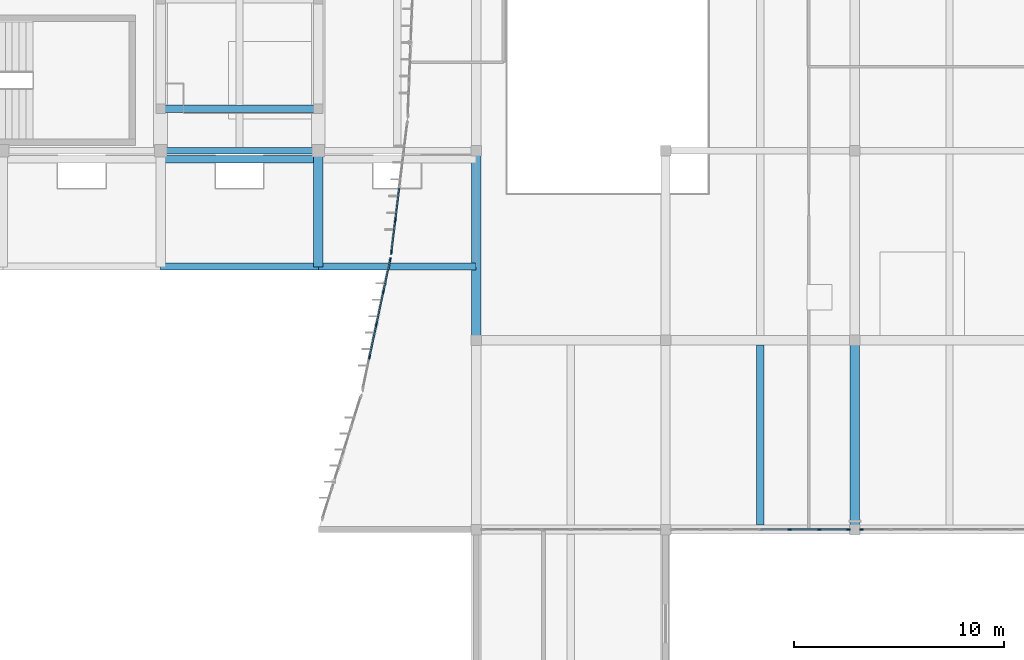
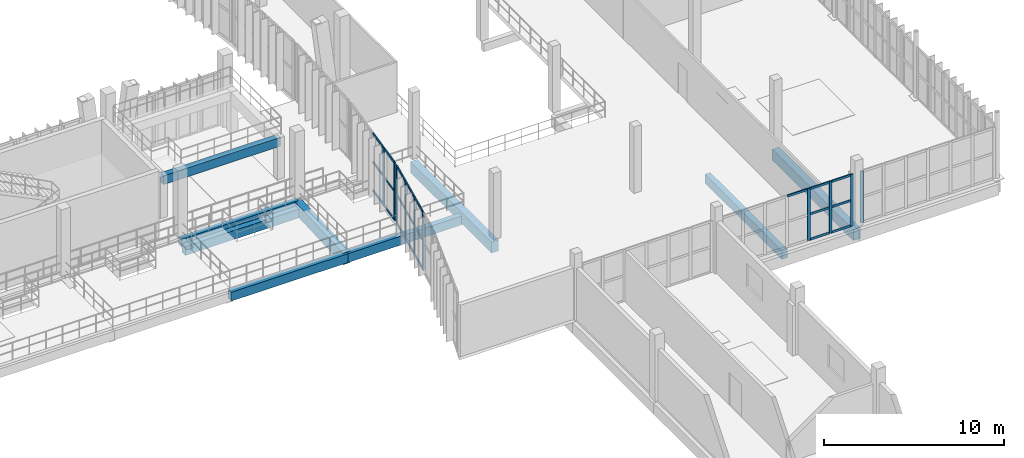
# One storey, part 29 of 81: 32 members, 9 beams, 4 elements without a shape of their own.
"""IFC4 building model written with IfcOpenShell, lengths in metres."""

from ifc_helpers import new_model, si_unit, direction, frame, origin, origin_2d, place, context, subcontext, project, spatial, rectangle, extrude, material, material_profile, profile_set, type_object, element, aggregate, save


model = new_model("IFC4")

# Units and contexts
model_context = context("Model", 3, precision=1e-05, world=origin(), true_north=direction((0.0, 1.0)))
body_context = subcontext(model_context, "Body", "Model", "MODEL_VIEW")
ifc_project = project(units=[si_unit("LENGTHUNIT", "METRE"), si_unit("AREAUNIT", "SQUARE_METRE"), si_unit("VOLUMEUNIT", "CUBIC_METRE"), si_unit("PLANEANGLEUNIT", "RADIAN"), si_unit("MASSUNIT", "GRAM", prefix="KILO")], contexts=[model_context])

# Site, building, storey
site_placement = place(None, origin())
site = spatial("IfcSite", under=ifc_project, at=site_placement, CompositionType="ELEMENT")
building_placement = place(site_placement, origin())
building = spatial("IfcBuilding", under=site, at=building_placement, Name="Vourika Railside Aquatics Centre", CompositionType="ELEMENT")
storey_placement = place(building_placement, frame((0.0, 0.0, 4.800048828125)))
storey = spatial("IfcBuildingStorey", under=building, at=storey_placement, Name="L01", CompositionType="ELEMENT", Elevation=4.800048828125)

# Beams
ifc_material_1 = material(Name="Concrete C35/45", Category="concrete")
ifc_material_profile_1 = material_profile(ifc_material_1, rectangle(XDim=0.449951171875, YDim=0.75, at=origin_2d()), Name="RC 450x750")
ifc_profile_set_1 = profile_set([ifc_material_profile_1], Name="Concrete C35/45")
beam_type_1 = type_object("IfcBeamType", Name="BM-GIRD-450x750", PredefinedType="BEAM", material=ifc_profile_set_1)
for number, where, z_axis, x_axis, name in (
    (1, (141.0, 49.0, -0.675048828125), (0.0, 1.0, 0.0), (-1.0, 0.0, 0.0), "Floor Girder GY-L01-273"),
    (2, (159.0, 40.0, -0.675048828125), (0.0, 1.0, 0.0), (-1.0, 0.0, 0.0), "Floor Girder GY-L01-287"),
):
    element("IfcBeam", number, at=place(storey_placement, frame(where, z_axis=z_axis, x_axis=x_axis)), inside=storey, type_object=beam_type_1, Name=name, PredefinedType="BEAM", context=body_context, shape_type="SweptSolid", body=[
        extrude(rectangle(XDim=0.449951171875, YDim=0.75, at=origin_2d()), origin(), (0.0, 0.0, 1.0), 9.0),
    ])
ifc_material_profile_2 = material_profile(ifc_material_1, rectangle(XDim=0.449951171875, YDim=0.800048828125, at=origin_2d()), Name="RC 450x800")
ifc_profile_set_2 = profile_set([ifc_material_profile_2], Name="Concrete C35/45")
beam_type_2 = type_object("IfcBeamType", Name="BM-RAKER-450x800", PredefinedType="BEAM", material=ifc_profile_set_2)
beam_1_placement = place(storey_placement, frame((133.5, 52.5, -0.949951171875), z_axis=(0.0, 0.99896854021, 0.045407660919), x_axis=(-1.0, 0.0, 0.0)))
element("IfcBeam", 3, at=beam_1_placement, inside=storey, type_object=beam_type_2, Name="Grandstand Lower Raker Beam RKL-133.5", PredefinedType="BEAM", context=body_context, shape_type="SweptSolid", body=[
    extrude(rectangle(XDim=0.449951171875, YDim=0.800048828125, at=origin_2d()), origin(), (0.0, 0.0, 1.0), 5.505615234375),
])
ifc_material_profile_3 = material_profile(ifc_material_1, rectangle(XDim=0.35009765625, YDim=0.60009765625, at=origin_2d()), Name="RC 350x600")
ifc_profile_set_3 = profile_set([ifc_material_profile_3], Name="Concrete C35/45")
beam_type_3 = type_object("IfcBeamType", Name="BM-SEC-350x600", PredefinedType="JOIST", material=ifc_profile_set_3)
beam_2_placement = place(storey_placement, frame((154.5, 40.22509765625, -0.60009765625), z_axis=(0.0, 1.0, 0.0), x_axis=(-1.0, 0.0, 0.0)))
element("IfcBeam", 4, at=beam_2_placement, inside=storey, type_object=beam_type_3, Name="Secondary Joist JY-L01-324", PredefinedType="JOIST", context=body_context, shape_type="SweptSolid", body=[
    extrude(rectangle(XDim=0.35009765625, YDim=0.60009765625, at=origin_2d()), origin(), (0.0, 0.0, 1.0), 8.5498046875),
])
for number, where, z_axis, x_axis, name in (
    (5, (126.0, 52.5, -0.85009765625), (1.0, 0.0, 0.0), (0.0, 1.0, 0.0), "Lower Stand Front Beam 126.0-133.5"),
    (6, (126.0, 57.60009765625, -0.85009765625), (1.0, 0.0, 0.0), (0.0, 1.0, 0.0), "Lower Stand Rear Beam 126.0-133.5"),
    (7, (133.5, 52.5, -0.85009765625), (1.0, 0.0, 0.0), (0.0, 1.0, 0.0), "Lower Stand Front Beam 133.5-141.0"),
    (8, (126.0, 60.0, 2.5), (1.0, 0.0, 0.0), (0.0, 1.0, 0.0), "Upper Stand Front Beam 126.0-133.5"),
):
    element("IfcBeam", number, at=place(storey_placement, frame(where, z_axis=z_axis, x_axis=x_axis)), inside=storey, type_object=beam_type_3, Name=name, PredefinedType="JOIST", context=body_context, shape_type="SweptSolid", body=[
        extrude(rectangle(XDim=0.35009765625, YDim=0.60009765625, at=origin_2d()), origin(), (0.0, 0.0, 1.0), 7.5),
    ])
ifc_material_profile_4 = material_profile(ifc_material_1, rectangle(XDim=0.320068359375, YDim=0.550048828125, at=origin_2d()), Name="RC 320x550")
ifc_profile_set_4 = profile_set([ifc_material_profile_4], Name="Concrete C35/45")
beam_type_4 = type_object("IfcBeamType", Name="BM-SPAN-320x550", PredefinedType="SPANDREL", material=ifc_profile_set_4)
beam_3_placement = place(storey_placement, frame((126.0, 58.0, -0.574951171875), z_axis=(1.0, 0.0, 0.0), x_axis=(0.0, 1.0, 0.0)))
element("IfcBeam", 9, at=beam_3_placement, inside=storey, type_object=beam_type_4, Name="Floor Beam GX-L01-074", PredefinedType="SPANDREL", context=body_context, shape_type="SweptSolid", body=[
    extrude(rectangle(XDim=0.320068359375, YDim=0.550048828125, at=origin_2d()), origin(), (0.0, 0.0, 1.0), 7.5),
])

# Curtain wall, members
ifc_material_2 = material(Name="Anodized thermally broken aluminium", Category="aluminium")
curtain_wall_type_1 = type_object("IfcCurtainWallType", Name="CW-FOYC1", PredefinedType="NOTDEFINED", material=ifc_material_2)
curtain_wall_1_placement = place(storey_placement, origin())
curtain_wall_1 = element("IfcCurtainWall", 10, at=curtain_wall_1_placement, inside=storey, type_object=curtain_wall_type_1, Name="Curved Courtyard Foyer Curtain Wall L01-2", PredefinedType="NOTDEFINED")
ifc_material_3 = material(Name="Anodized aluminium mullion", Category="aluminium")
ifc_material_profile_5 = material_profile(ifc_material_3, rectangle(XDim=0.070068359375, YDim=0.18505859375, at=origin_2d()), Name="ALU-M 70x185")
ifc_profile_set_5 = profile_set([ifc_material_profile_5], Name="Anodized aluminium mullion")
member_type_1 = type_object("IfcMemberType", Name="CWM-FOYC1", PredefinedType="MULLION", material=ifc_profile_set_5)
member_1_placement = place(storey_placement, frame((136.914794921875, 52.82568359375, 0.0), z_axis=(0.0, 0.0, 1.0), x_axis=(0.978214773139, -0.207595418094, 0.0)))
member_1 = element("IfcMember", 11, at=member_1_placement, type_object=member_type_1, Name="CW08 mullion 1", PredefinedType="MULLION", context=body_context, shape_type="SweptSolid", body=[
    extrude(rectangle(XDim=0.070068359375, YDim=0.18505859375, at=origin_2d()), origin(), (0.0, 0.0, 1.0), 3.919921875),
])
member_2_placement = place(storey_placement, frame((136.592041015625, 51.304931640625, 0.0), z_axis=(0.0, 0.0, 1.0), x_axis=(0.978214773139, -0.207595418094, 0.0)))
member_2 = element("IfcMember", 12, at=member_2_placement, type_object=member_type_1, Name="CW08 mullion 2", PredefinedType="MULLION", context=body_context, shape_type="SweptSolid", body=[
    extrude(rectangle(XDim=0.070068359375, YDim=0.18505859375, at=origin_2d()), origin(), (0.0, 0.0, 1.0), 3.919921875),
])
member_3_placement = place(storey_placement, frame((136.261962890625, 49.75, 0.0), z_axis=(0.0, 0.0, 1.0), x_axis=(0.978214773139, -0.207595418094, 0.0)))
member_3 = element("IfcMember", 13, at=member_3_placement, type_object=member_type_1, Name="CW08 mullion 3", PredefinedType="MULLION", context=body_context, shape_type="SweptSolid", body=[
    extrude(rectangle(XDim=0.070068359375, YDim=0.18505859375, at=origin_2d()), origin(), (0.0, 0.0, 1.0), 3.919921875),
])
member_4_placement = place(storey_placement, frame((135.931884765625, 48.195068359375, 0.0), z_axis=(0.0, 0.0, 1.0), x_axis=(0.978214773139, -0.207595418094, 0.0)))
member_4 = element("IfcMember", 14, at=member_4_placement, type_object=member_type_1, Name="CW08 mullion 4", PredefinedType="MULLION", context=body_context, shape_type="SweptSolid", body=[
    extrude(rectangle(XDim=0.070068359375, YDim=0.18505859375, at=origin_2d()), origin(), (0.0, 0.0, 1.0), 3.919921875),
])

curtain_wall_2_placement = place(storey_placement, origin())
curtain_wall_2 = element("IfcCurtainWall", 15, at=curtain_wall_2_placement, inside=storey, type_object=curtain_wall_type_1, Name="Curved Courtyard Foyer Curtain Wall L01-3", PredefinedType="NOTDEFINED")
member_5_placement = place(storey_placement, frame((137.158203125, 54.695068359375, 0.0), z_axis=(0.0, 0.0, 1.0), x_axis=(0.992598563525, -0.121441721361, 0.0)))
member_5 = element("IfcMember", 16, at=member_5_placement, type_object=member_type_1, Name="CW08 mullion 4", PredefinedType="MULLION", context=body_context, shape_type="SweptSolid", body=[
    extrude(rectangle(XDim=0.070068359375, YDim=0.18505859375, at=origin_2d()), origin(), (0.0, 0.0, 1.0), 3.919921875),
])
member_6_placement = place(storey_placement, frame((136.97216796875, 53.1748046875, 0.0), z_axis=(0.0, 0.0, 1.0), x_axis=(0.992598563525, -0.121441721361, 0.0)))
member_6 = element("IfcMember", 17, at=member_6_placement, type_object=member_type_1, Name="CW08 mullion 5", PredefinedType="MULLION", context=body_context, shape_type="SweptSolid", body=[
    extrude(rectangle(XDim=0.070068359375, YDim=0.18505859375, at=origin_2d()), origin(), (0.0, 0.0, 1.0), 3.919921875),
])

curtain_wall_type_2 = type_object("IfcCurtainWallType", Name="CW-FOYS", PredefinedType="NOTDEFINED", material=ifc_material_2)
curtain_wall_3_placement = place(storey_placement, origin())
curtain_wall_3 = element("IfcCurtainWall", 18, at=curtain_wall_3_placement, inside=storey, type_object=curtain_wall_type_2, Name="Foyer South Glazed Facade L01-2", PredefinedType="NOTDEFINED")
ifc_material_profile_6 = material_profile(ifc_material_3, rectangle(XDim=0.072021484375, YDim=0.181884765625, at=origin_2d()), Name="ALU-M 72x182")
ifc_profile_set_6 = profile_set([ifc_material_profile_6], Name="Anodized aluminium mullion")
member_type_2 = type_object("IfcMemberType", Name="CWM-FOYS", PredefinedType="MULLION", material=ifc_profile_set_6)
member_7_placement = place(storey_placement, frame((155.90673828125, 40.0, 0.0), z_axis=(0.0, 0.0, 1.0), x_axis=(0.0, 1.0, 0.0)))
member_7 = element("IfcMember", 19, at=member_7_placement, type_object=member_type_2, Name="CW11 mullion 5", PredefinedType="MULLION", context=body_context, shape_type="SweptSolid", body=[
    extrude(rectangle(XDim=0.072021484375, YDim=0.181884765625, at=origin_2d()), origin(), (0.0, 0.0, 1.0), 3.5),
])
member_8_placement = place(storey_placement, frame((157.313232421875, 40.0, 0.0), z_axis=(0.0, 0.0, 1.0), x_axis=(0.0, 1.0, 0.0)))
member_8 = element("IfcMember", 20, at=member_8_placement, type_object=member_type_2, Name="CW11 mullion 6", PredefinedType="MULLION", context=body_context, shape_type="SweptSolid", body=[
    extrude(rectangle(XDim=0.072021484375, YDim=0.181884765625, at=origin_2d()), origin(), (0.0, 0.0, 1.0), 3.5),
])
member_9_placement = place(storey_placement, frame((158.68408203125, 40.0, 0.0), z_axis=(0.0, 0.0, 1.0), x_axis=(0.0, 1.0, 0.0)))
member_9 = element("IfcMember", 21, at=member_9_placement, type_object=member_type_2, Name="CW11 mullion 7", PredefinedType="MULLION", context=body_context, shape_type="SweptSolid", body=[
    extrude(rectangle(XDim=0.072021484375, YDim=0.181884765625, at=origin_2d()), origin(), (0.0, 0.0, 1.0), 3.5),
])

# Curtain wall, member
curtain_wall_4_placement = place(storey_placement, origin())
curtain_wall_4 = element("IfcCurtainWall", 22, at=curtain_wall_4_placement, inside=storey, type_object=curtain_wall_type_2, Name="Foyer South Glazed Facade L01-3", PredefinedType="NOTDEFINED")
member_10_placement = place(storey_placement, frame((159.31591796875, 40.0, 0.0), z_axis=(0.0, 0.0, 1.0), x_axis=(0.0, 1.0, 0.0)))
member_10 = element("IfcMember", 23, at=member_10_placement, type_object=member_type_2, Name="CW11 mullion 1", PredefinedType="MULLION", context=body_context, shape_type="SweptSolid", body=[
    extrude(rectangle(XDim=0.072021484375, YDim=0.181884765625, at=origin_2d()), origin(), (0.0, 0.0, 1.0), 3.5),
])
aggregate(curtain_wall_4, [member_10])

# Member
ifc_material_4 = material(Name="Anodized aluminium transom", Category="aluminium")
ifc_material_profile_7 = material_profile(ifc_material_4, rectangle(XDim=0.070068359375, YDim=0.14599609375, at=origin_2d()), Name="ALU-T 70x146")
ifc_profile_set_7 = profile_set([ifc_material_profile_7], Name="Anodized aluminium transom")
member_type_3 = type_object("IfcMemberType", Name="CWT-FOYC1", PredefinedType="USERDEFINED", material=ifc_profile_set_7)
member_11_placement = place(storey_placement, frame((136.907470703125, 52.79150390625, 0.034912109375), z_axis=(-0.207551899395, -0.978224007606, 0.0), x_axis=(0.978224007606, -0.207551899395, 0.0)))
member_11 = element("IfcMember", 24, at=member_11_placement, type_object=member_type_3, Name="CW08 transom 1.1", ObjectType="TRANSOM", PredefinedType="USERDEFINED", context=body_context, shape_type="SweptSolid", body=[
    extrude(rectangle(XDim=0.070068359375, YDim=0.14599609375, at=origin_2d()), origin(), (0.0, 0.0, 1.0), 1.484375),
])

member_12_placement = place(storey_placement, frame((136.907470703125, 52.79150390625, 1.9599609375), z_axis=(-0.207551899395, -0.978224007606, 0.0), x_axis=(0.978224007606, -0.207551899395, 0.0)))
member_12 = element("IfcMember", 25, at=member_12_placement, type_object=member_type_3, Name="CW08 transom 1.2", ObjectType="TRANSOM", PredefinedType="USERDEFINED", context=body_context, shape_type="SweptSolid", body=[
    extrude(rectangle(XDim=0.070068359375, YDim=0.14599609375, at=origin_2d()), origin(), (0.0, 0.0, 1.0), 1.484375),
])

member_13_placement = place(storey_placement, frame((136.907470703125, 52.79150390625, 3.885009765625), z_axis=(-0.207551899395, -0.978224007606, 0.0), x_axis=(0.978224007606, -0.207551899395, 0.0)))
member_13 = element("IfcMember", 26, at=member_13_placement, type_object=member_type_3, Name="CW08 transom 1.3", ObjectType="TRANSOM", PredefinedType="USERDEFINED", context=body_context, shape_type="SweptSolid", body=[
    extrude(rectangle(XDim=0.070068359375, YDim=0.14599609375, at=origin_2d()), origin(), (0.0, 0.0, 1.0), 1.484375),
])

member_14_placement = place(storey_placement, frame((136.584716796875, 51.270751953125, 0.034912109375), z_axis=(-0.207564770787, -0.978221276567, 0.0), x_axis=(0.978221276567, -0.207564770787, 0.0)))
member_14 = element("IfcMember", 27, at=member_14_placement, type_object=member_type_3, Name="CW08 transom 2.1", ObjectType="TRANSOM", PredefinedType="USERDEFINED", context=body_context, shape_type="SweptSolid", body=[
    extrude(rectangle(XDim=0.070068359375, YDim=0.14599609375, at=origin_2d()), origin(), (0.0, 0.0, 1.0), 1.519775390625),
])

member_15_placement = place(storey_placement, frame((136.584716796875, 51.270751953125, 1.9599609375), z_axis=(-0.207564770787, -0.978221276567, 0.0), x_axis=(0.978221276567, -0.207564770787, 0.0)))
member_15 = element("IfcMember", 28, at=member_15_placement, type_object=member_type_3, Name="CW08 transom 2.2", ObjectType="TRANSOM", PredefinedType="USERDEFINED", context=body_context, shape_type="SweptSolid", body=[
    extrude(rectangle(XDim=0.070068359375, YDim=0.14599609375, at=origin_2d()), origin(), (0.0, 0.0, 1.0), 1.519775390625),
])

member_16_placement = place(storey_placement, frame((136.584716796875, 51.270751953125, 3.885009765625), z_axis=(-0.207564770787, -0.978221276567, 0.0), x_axis=(0.978221276567, -0.207564770787, 0.0)))
member_16 = element("IfcMember", 29, at=member_16_placement, type_object=member_type_3, Name="CW08 transom 2.3", ObjectType="TRANSOM", PredefinedType="USERDEFINED", context=body_context, shape_type="SweptSolid", body=[
    extrude(rectangle(XDim=0.070068359375, YDim=0.14599609375, at=origin_2d()), origin(), (0.0, 0.0, 1.0), 1.519775390625),
])

member_17_placement = place(storey_placement, frame((136.254638671875, 49.7158203125, 0.034912109375), z_axis=(-0.207564770787, -0.978221276567, 0.0), x_axis=(0.978221276567, -0.207564770787, 0.0)))
member_17 = element("IfcMember", 30, at=member_17_placement, type_object=member_type_3, Name="CW08 transom 3.1", ObjectType="TRANSOM", PredefinedType="USERDEFINED", context=body_context, shape_type="SweptSolid", body=[
    extrude(rectangle(XDim=0.070068359375, YDim=0.14599609375, at=origin_2d()), origin(), (0.0, 0.0, 1.0), 1.519775390625),
])

member_18_placement = place(storey_placement, frame((136.254638671875, 49.7158203125, 1.9599609375), z_axis=(-0.207564770787, -0.978221276567, 0.0), x_axis=(0.978221276567, -0.207564770787, 0.0)))
member_18 = element("IfcMember", 31, at=member_18_placement, type_object=member_type_3, Name="CW08 transom 3.2", ObjectType="TRANSOM", PredefinedType="USERDEFINED", context=body_context, shape_type="SweptSolid", body=[
    extrude(rectangle(XDim=0.070068359375, YDim=0.14599609375, at=origin_2d()), origin(), (0.0, 0.0, 1.0), 1.519775390625),
])

member_19_placement = place(storey_placement, frame((136.254638671875, 49.7158203125, 3.885009765625), z_axis=(-0.207564770787, -0.978221276567, 0.0), x_axis=(0.978221276567, -0.207564770787, 0.0)))
member_19 = element("IfcMember", 32, at=member_19_placement, type_object=member_type_3, Name="CW08 transom 3.3", ObjectType="TRANSOM", PredefinedType="USERDEFINED", context=body_context, shape_type="SweptSolid", body=[
    extrude(rectangle(XDim=0.070068359375, YDim=0.14599609375, at=origin_2d()), origin(), (0.0, 0.0, 1.0), 1.519775390625),
])

aggregate(curtain_wall_1, [member_1, member_2, member_3, member_4, member_11, member_12, member_13, member_14, member_15, member_16, member_17, member_18, member_19])

member_20_placement = place(storey_placement, frame((137.34423828125, 56.21533203125, 0.034912109375), z_axis=(-0.121364075075, -0.992608060254, 0.0), x_axis=(0.992608060254, -0.121364075075, 0.0)))
member_20 = element("IfcMember", 33, at=member_20_placement, type_object=member_type_3, Name="CW08 transom 3.1", ObjectType="TRANSOM", PredefinedType="USERDEFINED", context=body_context, shape_type="SweptSolid", body=[
    extrude(rectangle(XDim=0.070068359375, YDim=0.14599609375, at=origin_2d()), origin(), (0.0, 0.0, 1.0), 1.49658203125),
])

member_21_placement = place(storey_placement, frame((137.34423828125, 56.21533203125, 1.9599609375), z_axis=(-0.121364075075, -0.992608060254, 0.0), x_axis=(0.992608060254, -0.121364075075, 0.0)))
member_21 = element("IfcMember", 34, at=member_21_placement, type_object=member_type_3, Name="CW08 transom 3.2", ObjectType="TRANSOM", PredefinedType="USERDEFINED", context=body_context, shape_type="SweptSolid", body=[
    extrude(rectangle(XDim=0.070068359375, YDim=0.14599609375, at=origin_2d()), origin(), (0.0, 0.0, 1.0), 1.49658203125),
])

member_22_placement = place(storey_placement, frame((137.34423828125, 56.21533203125, 3.885009765625), z_axis=(-0.121364075075, -0.992608060254, 0.0), x_axis=(0.992608060254, -0.121364075075, 0.0)))
member_22 = element("IfcMember", 35, at=member_22_placement, type_object=member_type_3, Name="CW08 transom 3.3", ObjectType="TRANSOM", PredefinedType="USERDEFINED", context=body_context, shape_type="SweptSolid", body=[
    extrude(rectangle(XDim=0.070068359375, YDim=0.14599609375, at=origin_2d()), origin(), (0.0, 0.0, 1.0), 1.49658203125),
])

member_23_placement = place(storey_placement, frame((137.154052734375, 54.66015625, 0.034912109375), z_axis=(-0.121443785275, -0.992598311009, 0.0), x_axis=(0.992598311009, -0.121443785275, 0.0)))
member_23 = element("IfcMember", 36, at=member_23_placement, type_object=member_type_3, Name="CW08 transom 4.1", ObjectType="TRANSOM", PredefinedType="USERDEFINED", context=body_context, shape_type="SweptSolid", body=[
    extrude(rectangle(XDim=0.070068359375, YDim=0.14599609375, at=origin_2d()), origin(), (0.0, 0.0, 1.0), 1.46142578125),
])

member_24_placement = place(storey_placement, frame((137.154052734375, 54.66015625, 1.9599609375), z_axis=(-0.121443785275, -0.992598311009, 0.0), x_axis=(0.992598311009, -0.121443785275, 0.0)))
member_24 = element("IfcMember", 37, at=member_24_placement, type_object=member_type_3, Name="CW08 transom 4.2", ObjectType="TRANSOM", PredefinedType="USERDEFINED", context=body_context, shape_type="SweptSolid", body=[
    extrude(rectangle(XDim=0.070068359375, YDim=0.14599609375, at=origin_2d()), origin(), (0.0, 0.0, 1.0), 1.46142578125),
])

member_25_placement = place(storey_placement, frame((137.154052734375, 54.66015625, 3.885009765625), z_axis=(-0.121443785275, -0.992598311009, 0.0), x_axis=(0.992598311009, -0.121443785275, 0.0)))
member_25 = element("IfcMember", 38, at=member_25_placement, type_object=member_type_3, Name="CW08 transom 4.3", ObjectType="TRANSOM", PredefinedType="USERDEFINED", context=body_context, shape_type="SweptSolid", body=[
    extrude(rectangle(XDim=0.070068359375, YDim=0.14599609375, at=origin_2d()), origin(), (0.0, 0.0, 1.0), 1.46142578125),
])

aggregate(curtain_wall_2, [member_5, member_6, member_20, member_21, member_22, member_23, member_24, member_25])

ifc_material_profile_8 = material_profile(ifc_material_4, rectangle(XDim=0.072021484375, YDim=0.14404296875, at=origin_2d()), Name="ALU-T 72x144")
ifc_profile_set_8 = profile_set([ifc_material_profile_8], Name="Anodized aluminium transom")
member_type_4 = type_object("IfcMemberType", Name="CWT-FOYS", PredefinedType="USERDEFINED", material=ifc_profile_set_8)
member_26_placement = place(storey_placement, frame((154.535888671875, 40.0, 3.4638671875), z_axis=(1.0, 0.0, 0.0), x_axis=(0.0, 1.0, 0.0)))
member_26 = element("IfcMember", 39, at=member_26_placement, type_object=member_type_4, Name="CW11 transom 4.3", ObjectType="TRANSOM", PredefinedType="USERDEFINED", context=body_context, shape_type="SweptSolid", body=[
    extrude(rectangle(XDim=0.072021484375, YDim=0.14404296875, at=origin_2d()), origin(), (0.0, 0.0, 1.0), 1.334716796875),
])

member_27_placement = place(storey_placement, frame((155.942626953125, 40.0, 0.035888671875), z_axis=(1.0, 0.0, 0.0), x_axis=(0.0, 1.0, 0.0)))
member_27 = element("IfcMember", 40, at=member_27_placement, type_object=member_type_4, Name="CW11 transom 5.1", ObjectType="TRANSOM", PredefinedType="USERDEFINED", context=body_context, shape_type="SweptSolid", body=[
    extrude(rectangle(XDim=0.072021484375, YDim=0.14404296875, at=origin_2d()), origin(), (0.0, 0.0, 1.0), 1.334716796875),
])

member_28_placement = place(storey_placement, frame((155.942626953125, 40.0, 1.75), z_axis=(1.0, 0.0, 0.0), x_axis=(0.0, 1.0, 0.0)))
member_28 = element("IfcMember", 41, at=member_28_placement, type_object=member_type_4, Name="CW11 transom 5.2", ObjectType="TRANSOM", PredefinedType="USERDEFINED", context=body_context, shape_type="SweptSolid", body=[
    extrude(rectangle(XDim=0.072021484375, YDim=0.14404296875, at=origin_2d()), origin(), (0.0, 0.0, 1.0), 1.334716796875),
])

member_29_placement = place(storey_placement, frame((155.942626953125, 40.0, 3.4638671875), z_axis=(1.0, 0.0, 0.0), x_axis=(0.0, 1.0, 0.0)))
member_29 = element("IfcMember", 42, at=member_29_placement, type_object=member_type_4, Name="CW11 transom 5.3", ObjectType="TRANSOM", PredefinedType="USERDEFINED", context=body_context, shape_type="SweptSolid", body=[
    extrude(rectangle(XDim=0.072021484375, YDim=0.14404296875, at=origin_2d()), origin(), (0.0, 0.0, 1.0), 1.334716796875),
])

member_30_placement = place(storey_placement, frame((157.349365234375, 40.0, 0.035888671875), z_axis=(1.0, 0.0, 0.0), x_axis=(0.0, 1.0, 0.0)))
member_30 = element("IfcMember", 43, at=member_30_placement, type_object=member_type_4, Name="CW11 transom 6.1", ObjectType="TRANSOM", PredefinedType="USERDEFINED", context=body_context, shape_type="SweptSolid", body=[
    extrude(rectangle(XDim=0.072021484375, YDim=0.14404296875, at=origin_2d()), origin(), (0.0, 0.0, 1.0), 1.298583984375),
])

member_31_placement = place(storey_placement, frame((157.349365234375, 40.0, 1.75), z_axis=(1.0, 0.0, 0.0), x_axis=(0.0, 1.0, 0.0)))
member_31 = element("IfcMember", 44, at=member_31_placement, type_object=member_type_4, Name="CW11 transom 6.2", ObjectType="TRANSOM", PredefinedType="USERDEFINED", context=body_context, shape_type="SweptSolid", body=[
    extrude(rectangle(XDim=0.072021484375, YDim=0.14404296875, at=origin_2d()), origin(), (0.0, 0.0, 1.0), 1.298583984375),
])

member_32_placement = place(storey_placement, frame((157.349365234375, 40.0, 3.4638671875), z_axis=(1.0, 0.0, 0.0), x_axis=(0.0, 1.0, 0.0)))
member_32 = element("IfcMember", 45, at=member_32_placement, type_object=member_type_4, Name="CW11 transom 6.3", ObjectType="TRANSOM", PredefinedType="USERDEFINED", context=body_context, shape_type="SweptSolid", body=[
    extrude(rectangle(XDim=0.072021484375, YDim=0.14404296875, at=origin_2d()), origin(), (0.0, 0.0, 1.0), 1.298583984375),
])

aggregate(curtain_wall_3, [member_7, member_8, member_9, member_26, member_27, member_28, member_29, member_30, member_31, member_32])

save(model, "model.ifc")
